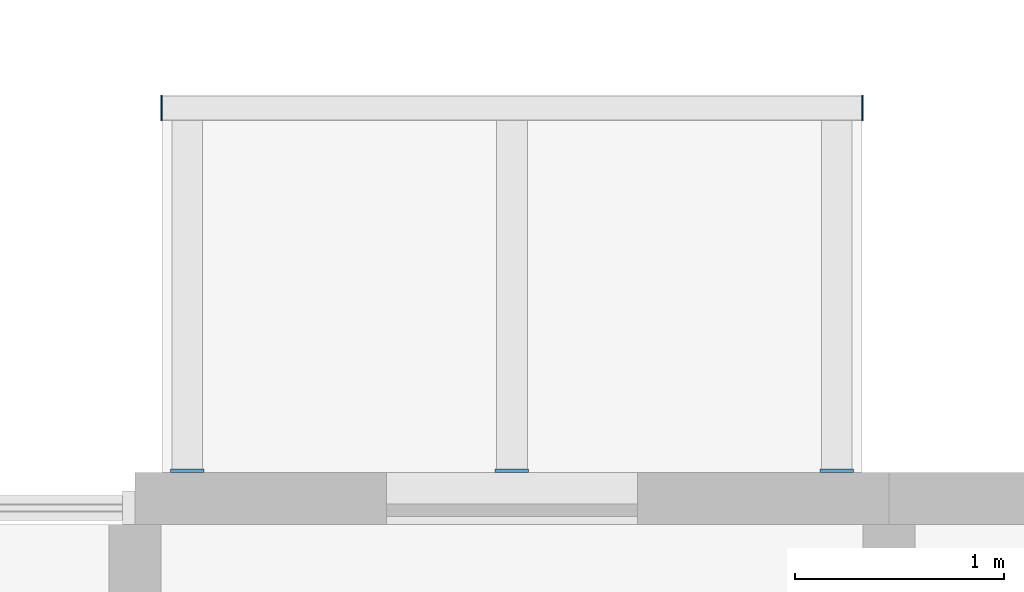
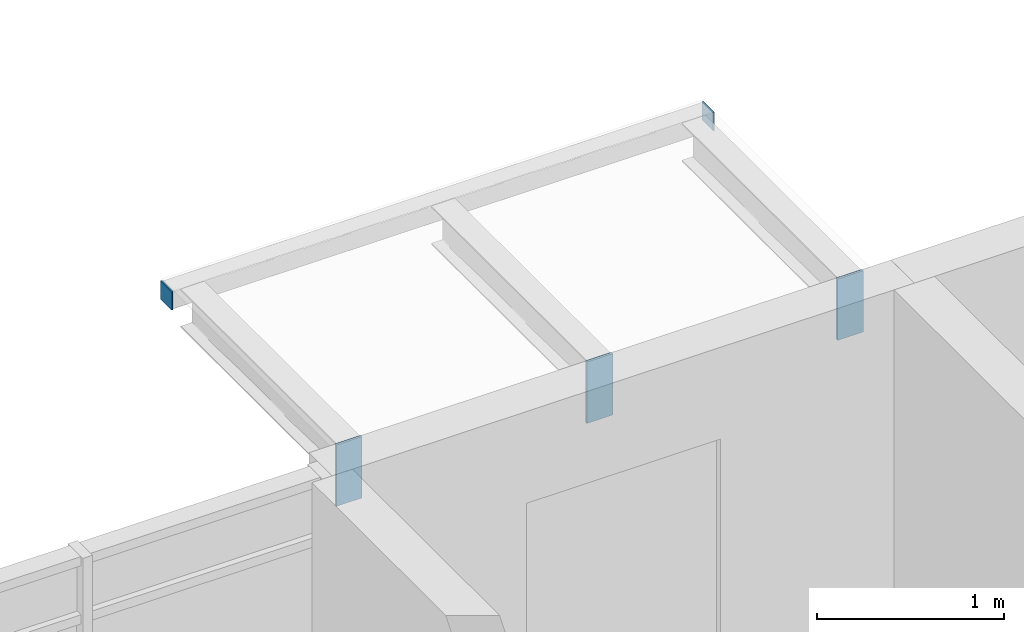
# One storey, part 78 of 115: 5 discrete accessories.
"""IFC4 building model written with IfcOpenShell, lengths in metres."""

from ifc_helpers import new_model, si_unit, direction, frame, origin, origin_2d, place, context, subcontext, project, spatial, rectangle, extrude, material, layer, layer_set, type_object, element, save


model = new_model("IFC4")

# Units and contexts
model_context = context("Model", 3, precision=1e-05, world=origin(), true_north=direction((0.0, 1.0)))
body_context = subcontext(model_context, "Body", "Model", "MODEL_VIEW")
ifc_project = project(units=[si_unit("LENGTHUNIT", "METRE"), si_unit("AREAUNIT", "SQUARE_METRE"), si_unit("VOLUMEUNIT", "CUBIC_METRE"), si_unit("PLANEANGLEUNIT", "RADIAN"), si_unit("MASSUNIT", "GRAM", prefix="KILO")], contexts=[model_context])

# Site, building, storey
site_placement = place(None, origin())
site = spatial("IfcSite", under=ifc_project, at=site_placement, CompositionType="ELEMENT")
building_placement = place(site_placement, origin())
building = spatial("IfcBuilding", under=site, at=building_placement, Name="Ridgestep Commons", CompositionType="ELEMENT")
storey_placement = place(building_placement, frame((0.0, 0.0, 6.0)))
storey = spatial("IfcBuildingStorey", under=building, at=storey_placement, Name="L02", CompositionType="ELEMENT", Elevation=6.0)

# Discrete accessories
ifc_material_1 = material(Name="Weathering steel S355J2W", Category="steel")
ifc_layer_1 = layer(ifc_material_1, 0.014892578125)
ifc_layer_set_1 = layer_set([ifc_layer_1], Name="Tray bracket plate 15")
discrete_accessory_type_1 = type_object("IfcDiscreteAccessoryType", Name="Tray bracket plate 15", PredefinedType="BRACKET", material=ifc_layer_set_1)
for number, where, z_axis, x_axis, name in (
    (1, (51.85009765625, 23.007568359375, 2.588623046875), (0.0, 0.0, 1.0), (1.0, 0.0, 0.0), "Tray bracket A3T3-03.1"),
    (2, (53.39990234375, 23.007568359375, 2.588623046875), (0.0, 0.0, 1.0), (1.0, 0.0, 0.0), "Tray bracket A3T3-03.2"),
    (3, (54.949951171875, 23.007568359375, 2.588623046875), (0.0, 0.0, 1.0), (1.0, 0.0, 0.0), "Tray bracket A3T3-03.3"),
):
    element("IfcDiscreteAccessory", number, at=place(storey_placement, frame(where, z_axis=z_axis, x_axis=x_axis)), inside=storey, type_object=discrete_accessory_type_1, Name=name, PredefinedType="BRACKET", context=body_context, shape_type="SweptSolid", body=[
        extrude(rectangle(XDim=0.159912109375, YDim=0.014892578125, at=origin_2d()), origin(), (0.0, 0.0, 1.0), 0.4013671875),
    ])
ifc_material_2 = material(Name="Weathering steel S355J2W", Category="steel")
ifc_layer_2 = layer(ifc_material_2, 0.008056640625)
ifc_layer_set_2 = layer_set([ifc_layer_2], Name="Tray edge member end plate 120 x 120 x 8")
discrete_accessory_type_2 = type_object("IfcDiscreteAccessoryType", Name="Tray edge member end plate 120 x 120 x 8", PredefinedType="BRACKET", material=ifc_layer_set_2)
for number, where, z_axis, x_axis, name in (
    (4, (51.72607421875, 24.739990234375, 2.869873046875), (0.0, 0.0, 1.0), (1.0, 0.0, 0.0), "Tray edge member end plate A3T3-03 west"),
    (5, (55.073974609375, 24.739990234375, 2.869873046875), (0.0, 0.0, 1.0), (1.0, 0.0, 0.0), "Tray edge member end plate A3T3-03 east"),
):
    element("IfcDiscreteAccessory", number, at=place(storey_placement, frame(where, z_axis=z_axis, x_axis=x_axis)), inside=storey, type_object=discrete_accessory_type_2, Name=name, PredefinedType="BRACKET", context=body_context, shape_type="SweptSolid", body=[
        extrude(rectangle(XDim=0.008056640625, YDim=0.1201171875, at=origin_2d()), origin(), (0.0, 0.0, 1.0), 0.1201171875),
    ])

save(model, "model.ifc")
